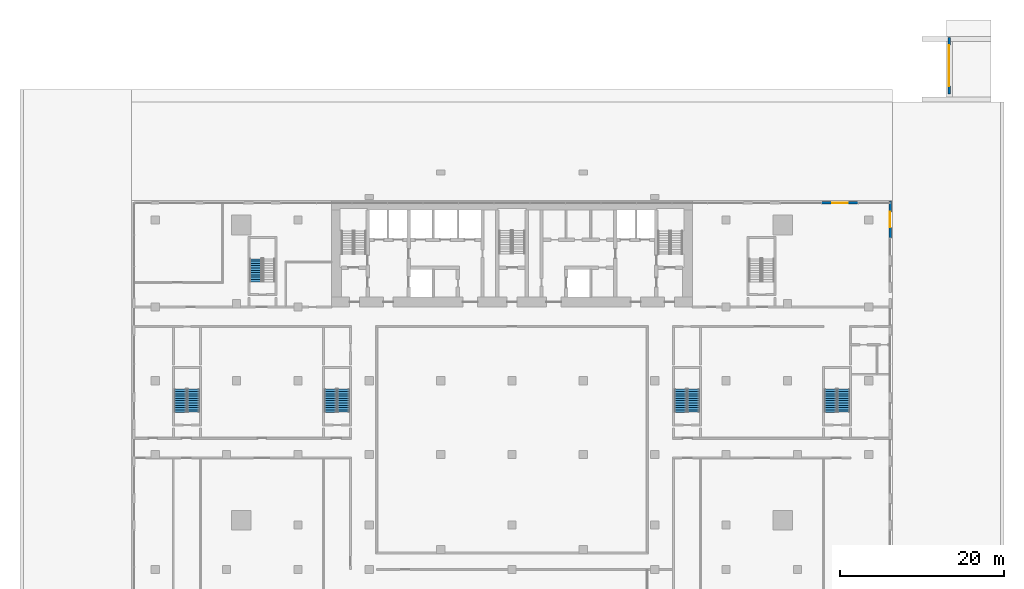
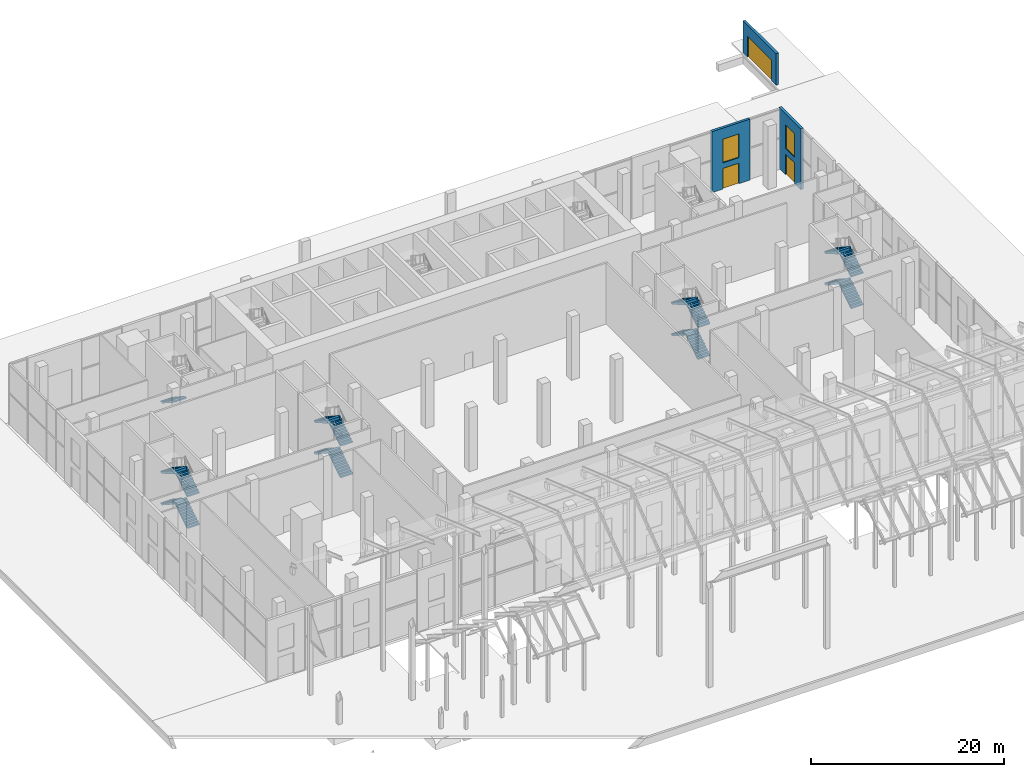
# One storey, part 27 of 31: 17 stair flights, 3 doors, 3 walls, 2 windows, 5 openings, 5 elements without a shape of their own.
"""IFC4 building model written with IfcOpenShell, lengths in metres."""

import ifcopenshell
import ifcopenshell.guid

model = None  # the IFC model being written
_history = None  # IfcOwnerHistory: only IFC2X3 demands one
_inside = {}  # id of a spatial element -> (the spatial element, [elements in it])
_under = {}  # id of a project, library or spatial element -> (it, [spatial elements below it])
_declared = {}  # id of a project -> (the project, [libraries it declares])
_typed = {}  # id of a type object -> (the type object, [elements of that type])
_made_of = {}  # id of a material, layer set ... -> (it, [elements and type objects made of it])


def new_model(schema):
    """Start an empty IFC model of exactly this schema.

    Asked for "IFC4X3", IfcOpenShell would pick the latest addendum, in which some entities
    have other attributes; the version numbers below select the first issue.
    IFC2X3 requires an IfcOwnerHistory on every rooted entity: one is made here for all.
    """
    global model, _history
    if schema == "IFC4X3":
        model = ifcopenshell.file(schema_version=(4, 3, 0, 0))
    else:
        model = ifcopenshell.file(schema=schema)
    _inside.clear()
    _under.clear()
    _declared.clear()
    _typed.clear()
    _made_of.clear()
    _history = None
    if model.schema == "IFC2X3":
        org = make("IfcOrganization", Name="unknown")
        user = make(
            "IfcPersonAndOrganization",
            ThePerson=make("IfcPerson", FamilyName="unknown"),
            TheOrganization=org,
        )
        app = make(
            "IfcApplication",
            ApplicationDeveloper=org,
            Version="unknown",
            ApplicationFullName="unknown",
            ApplicationIdentifier="unknown",
        )
        _history = make(
            "IfcOwnerHistory",
            OwningUser=user,
            OwningApplication=app,
            ChangeAction="ADDED",
            CreationDate=0,
        )
    return model


def make(cls, **values):
    """One entity of the class cls with the attributes given. An attribute that is None is left unset."""
    return model.create_entity(
        cls, **{name: value for name, value in values.items() if value is not None}
    )


def rooted(cls, **values):
    """An entity with a GlobalId (a new one), such as an element, a storey or a relation."""
    return make(cls, GlobalId=ifcopenshell.guid.new(), OwnerHistory=_history, **values)


def si_unit(unit_type, name, prefix=None):
    """IfcSIUnit, for example si_unit("LENGTHUNIT", "METRE", prefix="MILLI")."""
    return make("IfcSIUnit", UnitType=unit_type, Prefix=prefix, Name=name)


def assignment(units):
    """IfcUnitAssignment: the units of a project."""
    return None if units is None else make("IfcUnitAssignment", Units=units)


def point(xyz):
    """IfcCartesianPoint."""
    return None if xyz is None else make("IfcCartesianPoint", Coordinates=xyz)


def direction(xyz):
    """IfcDirection."""
    return None if xyz is None else make("IfcDirection", DirectionRatios=xyz)


def frame(location, z_axis=None, x_axis=None):
    """IfcAxis2Placement3D, a coordinate frame: its origin and axes. An axis left out is left unset."""
    return make(
        "IfcAxis2Placement3D",
        Location=point(location),
        Axis=direction(z_axis),
        RefDirection=direction(x_axis),
    )


def frame_2d(location, x_axis=None):
    """IfcAxis2Placement2D, a coordinate frame in the plane: its origin and x axis."""
    return make(
        "IfcAxis2Placement2D", Location=point(location), RefDirection=direction(x_axis)
    )


def origin():
    """The frame at (0, 0, 0) with its axes left unset."""
    return frame((0.0, 0.0, 0.0))


def place(relative_to, where):
    """IfcLocalPlacement: puts the frame where relative to a parent placement (None: the world)."""
    return make(
        "IfcLocalPlacement", PlacementRelTo=relative_to, RelativePlacement=where
    )


def context(
    kind, dimensions, precision=None, world=None, true_north=None, identifier=None
):
    """IfcGeometricRepresentationContext, for example the 3D "Model" context."""
    return make(
        "IfcGeometricRepresentationContext",
        ContextIdentifier=identifier,
        ContextType=kind,
        CoordinateSpaceDimension=dimensions,
        Precision=precision,
        WorldCoordinateSystem=world,
        TrueNorth=true_north,
    )


def subcontext(parent, identifier, kind, view, scale=None):
    """IfcGeometricRepresentationSubContext, for example "Body" below "Model"."""
    return make(
        "IfcGeometricRepresentationSubContext",
        ContextIdentifier=identifier,
        ContextType=kind,
        ParentContext=parent,
        TargetScale=scale,
        TargetView=view,
    )


def project(units=None, contexts=None):
    """IfcProject with its units and contexts."""
    return rooted(
        "IfcProject",
        Name="project",
        RepresentationContexts=contexts,
        UnitsInContext=assignment(units),
    )


def spatial(cls, under=None, at=None, **own):
    """A site, building, storey or space (cls), placed at a placement, below another one or the project."""
    s = rooted(cls, ObjectPlacement=at, **own)
    if under is not None:
        _under.setdefault(under.id(), (under, []))[1].append(s)
    return s


def polyline(points):
    """IfcPolyline through the points."""
    return make("IfcPolyline", Points=[point(p) for p in points])


def profile(cls, at=None, kind="AREA", **sizes):
    """A parametric profile (cls). Its sizes go by their IFC names, for example OverallWidth=200.0."""
    return make(cls, ProfileType=kind, Position=at, **sizes)


def rectangle(**sizes):
    """IfcRectangleProfileDef."""
    return profile("IfcRectangleProfileDef", **sizes)


def outline(outer, holes=None, kind="AREA"):
    """IfcArbitraryClosedProfileDef: a profile drawn as a closed curve; with holes, ...WithVoids."""
    if holes is None:
        return make("IfcArbitraryClosedProfileDef", ProfileType=kind, OuterCurve=outer)
    return make(
        "IfcArbitraryProfileDefWithVoids",
        ProfileType=kind,
        OuterCurve=outer,
        InnerCurves=holes,
    )


def extrude(swept, where, along, depth):
    """IfcExtrudedAreaSolid: the profile swept, set in the frame where, extruded along a direction by depth."""
    return make(
        "IfcExtrudedAreaSolid",
        SweptArea=swept,
        Position=where,
        ExtrudedDirection=direction(along),
        Depth=depth,
    )


def shape(context_of_items, identifier, shape_type, items):
    """IfcShapeRepresentation: the items that make up one representation, for example the "Body"."""
    return make(
        "IfcShapeRepresentation",
        ContextOfItems=context_of_items,
        RepresentationIdentifier=identifier,
        RepresentationType=shape_type,
        Items=items,
    )


def material(Name=None, Category=None):
    """IfcMaterial."""
    return make("IfcMaterial", Name=Name, Category=Category)


def layer(
    of_material, thickness, ventilated=None, Name=None, Category=None, Priority=None
):
    """IfcMaterialLayer: one layer of a wall or slab, of a material (None: an air gap)."""
    return make(
        "IfcMaterialLayer",
        Material=of_material,
        LayerThickness=thickness,
        IsVentilated=ventilated,
        Name=Name,
        Category=Category,
        Priority=Priority,
    )


def layer_set(layers, Name=None):
    """IfcMaterialLayerSet."""
    return make("IfcMaterialLayerSet", MaterialLayers=layers, LayerSetName=Name)


def layer_usage(for_layer_set, set_direction, sense, offset, extent=None):
    """IfcMaterialLayerSetUsage: how a layer set lies in its element."""
    return make(
        "IfcMaterialLayerSetUsage",
        ForLayerSet=for_layer_set,
        LayerSetDirection=set_direction,
        DirectionSense=sense,
        OffsetFromReferenceLine=offset,
        ReferenceExtent=extent,
    )


def made_of(thing, what):
    """Note that an element or type object is made of a material, layer set ...; save() writes the relation."""
    if what is not None:
        _made_of.setdefault(what.id(), (what, []))[1].append(thing)
    return thing


def type_object(cls, material=None, **own):
    """A type object (cls), such as IfcWallType, which elements share."""
    return made_of(rooted(cls, **own), material)


def element(
    cls,
    number,
    at=None,
    inside=None,
    cuts=None,
    type_object=None,
    material=None,
    context=None,
    identifier="Body",
    shape_type=None,
    held_by="IfcProductDefinitionShape",
    body=None,
    shapes=None,
    **own,
):
    """One element of the class cls, such as IfcWall. Its Tag is "e" and its number.

    at: its placement. inside: the storey or other place that contains it. cuts: it is an
    opening in that element (IfcRelVoidsElement). A single representation is given by context,
    identifier, shape_type and body (its items); several are given by shapes. held_by: the class
    of the entity that holds the representations. save() writes the other relations.
    """
    e = rooted(cls, Tag="e%d" % number, ObjectPlacement=at, **own)
    if body is not None:
        shapes = [shape(context, identifier, shape_type, body)]
    if shapes is not None:
        e.Representation = make(held_by, Representations=shapes)
    if inside is not None:
        _inside.setdefault(inside.id(), (inside, []))[1].append(e)
    if cuts is not None:
        rooted(
            "IfcRelVoidsElement", RelatingBuildingElement=cuts, RelatedOpeningElement=e
        )
    if type_object is not None:
        _typed.setdefault(type_object.id(), (type_object, []))[1].append(e)
    return made_of(e, material)


def fill(opening, filler):
    """IfcRelFillsElement: the door or window that sits in an opening."""
    return rooted(
        "IfcRelFillsElement",
        RelatingOpeningElement=opening,
        RelatedBuildingElement=filler,
    )


def aggregate(whole, parts):
    """IfcRelAggregates: a whole, such as a stair, and the parts it consists of."""
    return rooted("IfcRelAggregates", RelatingObject=whole, RelatedObjects=parts)


def save(model, path):
    """Write the relations noted so far, then the file.

    IfcRelAggregates (storeys below a building ...), IfcRelContainedInSpatialStructure (elements
    in a storey), IfcRelDefinesByType, IfcRelAssociatesMaterial and IfcRelDeclares: one each for
    every whole, place, type object, material and project.
    """
    for whole, parts in _under.values():
        aggregate(whole, parts)
    for where, things in _inside.values():
        rooted(
            "IfcRelContainedInSpatialStructure",
            RelatedElements=things,
            RelatingStructure=where,
        )
    for kind, things in _typed.values():
        rooted("IfcRelDefinesByType", RelatedObjects=things, RelatingType=kind)
    for what, things in _made_of.values():
        rooted("IfcRelAssociatesMaterial", RelatedObjects=things, RelatingMaterial=what)
    for by, libraries in _declared.values():
        rooted("IfcRelDeclares", RelatingContext=by, RelatedDefinitions=libraries)
    model.write(path)


model = new_model("IFC4")

# Units and contexts
model_context = context("Model", 3, precision=1e-05, world=origin(), true_north=direction((0.0, 1.0)))
body_context = subcontext(model_context, "Body", "Model", "MODEL_VIEW")
ifc_project = project(units=[si_unit("LENGTHUNIT", "METRE"), si_unit("AREAUNIT", "SQUARE_METRE"), si_unit("VOLUMEUNIT", "CUBIC_METRE"), si_unit("PLANEANGLEUNIT", "RADIAN"), si_unit("MASSUNIT", "GRAM", prefix="KILO")], contexts=[model_context])

# Site, building, storey
site_placement = place(None, origin())
site = spatial("IfcSite", under=ifc_project, at=site_placement, CompositionType="ELEMENT")
building_placement = place(site_placement, origin())
building = spatial("IfcBuilding", under=site, at=building_placement, Name="Bicima Exchange Tower", CompositionType="ELEMENT")
storey_placement = place(building_placement, origin())
storey = spatial("IfcBuildingStorey", under=building, at=storey_placement, Name="L00", CompositionType="ELEMENT", Elevation=0.0)

# Wall, openings, window, door
ifc_material_1 = material(Name="Concrete C40/50", Category="concrete")
ifc_layer_1 = layer(ifc_material_1, 0.3)
ifc_layer_set_1 = layer_set([ifc_layer_1], Name="Concrete C40/50")
ifc_layer_usage = layer_usage(ifc_layer_set_1, "AXIS2", "POSITIVE", -0.15)
wall_type_1 = type_object("IfcWallType", Name="Entrance frame wall 300", PredefinedType="STANDARD", material=ifc_layer_set_1)
wall_1_placement = place(storey_placement, frame((46.10009765625, -0.10009765625, 0.0), z_axis=(0.0, 0.0, 1.0), x_axis=(0.0, -1.0, 0.0)))
wall_1 = element("IfcWall", 1, at=wall_1_placement, inside=storey, type_object=wall_type_1, material=ifc_layer_usage, Name="Entrance frame wall L00 east 10", PredefinedType="STANDARD", context=body_context, shape_type="SweptSolid", body=[
    extrude(rectangle(XDim=4.5, YDim=0.300048828125, at=frame_2d((2.25, 0.0))), origin(), (0.0, 0.0, 1.0), 7.699951171875),
])
opening_1_placement = place(wall_1_placement, frame((1.300048828125, 0.0, 0.0)))
opening_1 = element("IfcOpeningElement", 2, at=opening_1_placement, cuts=wall_1, Name="Opening DX2", PredefinedType="OPENING", context=body_context, shape_type="SweptSolid", body=[
    extrude(rectangle(XDim=1.89990234375, YDim=2.60009765625, at=frame_2d((0.949951171875, 1.300048828125))), frame((0.0, 0.162109375, 0.0), z_axis=(0.0, -1.0, 0.0), x_axis=(1.0, 0.0, 0.0)), (0.0, 0.0, 1.0), 0.323974609375),
])
opening_2_placement = place(wall_1_placement, frame((1.300048828125, 0.0, 3.300048828125)))
opening_2 = element("IfcOpeningElement", 3, at=opening_2_placement, cuts=wall_1, Name="Opening WX1", PredefinedType="OPENING", context=body_context, shape_type="SweptSolid", body=[
    extrude(rectangle(XDim=1.89990234375, YDim=3.0, at=frame_2d((0.949951171875, 1.5))), frame((0.0, 0.162109375, 0.0), z_axis=(0.0, -1.0, 0.0), x_axis=(1.0, 0.0, 0.0)), (0.0, 0.0, 1.0), 0.323974609375),
])
ifc_material_2 = material(Name="Clear low-iron glass", Category="glass")
window_type = type_object("IfcWindowType", Name="Entrance transom light 1900 x 3000", PartitioningType="SINGLE_PANEL", PredefinedType="WINDOW", material=ifc_material_2)
window_1_placement = place(opening_2_placement, origin())
window_1 = element("IfcWindow", 4, at=window_1_placement, inside=storey, type_object=window_type, Name="Entrance transom light L00 east 10", OverallHeight=3.0, OverallWidth=1.89990234375, PartitioningType="SINGLE_PANEL", PredefinedType="WINDOW", context=body_context, shape_type="SweptSolid", body=[
    extrude(rectangle(XDim=1.89990234375, YDim=3.0, at=frame_2d((0.949951171875, 1.5))), frame((0.0, 0.030029296875, 0.0), z_axis=(0.0, -1.0, 0.0), x_axis=(1.0, 0.0, 0.0)), (0.0, 0.0, 1.0), 0.06005859375),
])
fill(opening_2, window_1)
ifc_material_3 = material(Name="Anodised bronze aluminium and bonded safety glass", Category="aluminium")
door_type_1 = type_object("IfcDoorType", Name="Exit door, double leaf 1900 x 2600", OperationType="DOUBLE_DOOR_DOUBLE_SWING", PredefinedType="DOOR", material=ifc_material_3)
door_1_placement = place(opening_1_placement, origin())
door_1 = element("IfcDoor", 5, at=door_1_placement, inside=storey, type_object=door_type_1, Name="Exit door L00 east 10", OperationType="SINGLE_SWING_LEFT", OverallHeight=2.60009765625, OverallWidth=1.89990234375, PredefinedType="DOOR", context=body_context, shape_type="SweptSolid", body=[
    extrude(rectangle(XDim=1.89990234375, YDim=2.60009765625, at=frame_2d((0.949951171875, 1.300048828125))), frame((0.0, 0.02490234375, 0.0), z_axis=(0.0, -1.0, 0.0), x_axis=(1.0, 0.0, 0.0)), (0.0, 0.0, 1.0), 0.050048828125),
])
fill(opening_1, door_1)

wall_2_placement = place(storey_placement, frame((37.75, -0.300048828125, 0.0), z_axis=(0.0, 0.0, 1.0), x_axis=(1.0, 0.0, 0.0)))
wall_2 = element("IfcWall", 6, at=wall_2_placement, inside=storey, type_object=wall_type_1, material=ifc_layer_usage, Name="Entrance frame wall L00 north 2", PredefinedType="STANDARD", context=body_context, shape_type="SweptSolid", body=[
    extrude(rectangle(XDim=4.5, YDim=0.300048828125, at=frame_2d((2.25, 0.0))), origin(), (0.0, 0.0, 1.0), 7.699951171875),
])
opening_3_placement = place(wall_2_placement, frame((1.300048828125, 0.0, 0.0)))
opening_3 = element("IfcOpeningElement", 7, at=opening_3_placement, cuts=wall_2, Name="Opening DX2", PredefinedType="OPENING", context=body_context, shape_type="SweptSolid", body=[
    extrude(rectangle(XDim=1.89990234375, YDim=2.60009765625, at=frame_2d((0.949951171875, 1.300048828125))), frame((0.0, 0.162109375, 0.0), z_axis=(0.0, -1.0, 0.0), x_axis=(1.0, 0.0, 0.0)), (0.0, 0.0, 1.0), 0.323974609375),
])
opening_4_placement = place(wall_2_placement, frame((1.300048828125, 0.0, 3.300048828125)))
opening_4 = element("IfcOpeningElement", 8, at=opening_4_placement, cuts=wall_2, Name="Opening WX1", PredefinedType="OPENING", context=body_context, shape_type="SweptSolid", body=[
    extrude(rectangle(XDim=1.89990234375, YDim=3.0, at=frame_2d((0.949951171875, 1.5))), frame((0.0, 0.162109375, 0.0), z_axis=(0.0, -1.0, 0.0), x_axis=(1.0, 0.0, 0.0)), (0.0, 0.0, 1.0), 0.323974609375),
])
window_2_placement = place(opening_4_placement, origin())
window_2 = element("IfcWindow", 9, at=window_2_placement, inside=storey, type_object=window_type, Name="Entrance transom light L00 north 2", OverallHeight=3.0, OverallWidth=1.89990234375, PartitioningType="SINGLE_PANEL", PredefinedType="WINDOW", context=body_context, shape_type="SweptSolid", body=[
    extrude(rectangle(XDim=1.89990234375, YDim=3.0, at=frame_2d((0.949951171875, 1.5))), frame((0.0, 0.030029296875, 0.0), z_axis=(0.0, -1.0, 0.0), x_axis=(1.0, 0.0, 0.0)), (0.0, 0.0, 1.0), 0.06005859375),
])
fill(opening_4, window_2)
door_2_placement = place(opening_3_placement, origin())
door_2 = element("IfcDoor", 10, at=door_2_placement, inside=storey, type_object=door_type_1, Name="Exit door L00 north 2", OperationType="SINGLE_SWING_LEFT", OverallHeight=2.60009765625, OverallWidth=1.89990234375, PredefinedType="DOOR", context=body_context, shape_type="SweptSolid", body=[
    extrude(rectangle(XDim=1.89990234375, YDim=2.60009765625, at=frame_2d((0.949951171875, 1.300048828125))), frame((0.0, 0.02490234375, 0.0), z_axis=(0.0, -1.0, 0.0), x_axis=(1.0, 0.0, 0.0)), (0.0, 0.0, 1.0), 0.050048828125),
])
fill(opening_3, door_2)

# Wall, opening, door
ifc_layer_2 = layer(ifc_material_1, 0.300048828125)
ifc_layer_set_2 = layer_set([ifc_layer_2], Name="Concrete C40/50")
wall_type_2 = type_object("IfcWallType", Name="Vehicle gate wall 300", PredefinedType="STANDARD", material=ifc_layer_set_2)
wall_3_placement = place(storey_placement, frame((53.300048828125, 13.0, 0.0), z_axis=(0.0, 0.0, 1.0), x_axis=(0.0, 1.0, 0.0)))
wall_3 = element("IfcWall", 11, at=wall_3_placement, inside=storey, type_object=wall_type_2, Name="Gate wall", PredefinedType="STANDARD", context=body_context, shape_type="SweptSolid", body=[
    extrude(rectangle(XDim=6.85009765625, YDim=0.300048828125, at=frame_2d((3.425048828125, 0.0))), origin(), (0.0, 0.0, 1.0), 4.0),
])
opening_5_placement = place(wall_3_placement, frame((0.925048828125, 0.0, 0.0)))
opening_5 = element("IfcOpeningElement", 12, at=opening_5_placement, cuts=wall_3, Name="Opening VG-01", PredefinedType="OPENING", context=body_context, shape_type="SweptSolid", body=[
    extrude(rectangle(XDim=5.0, YDim=2.60009765625, at=frame_2d((2.5, 1.300048828125))), frame((0.0, 0.162109375, 0.0), z_axis=(0.0, -1.0, 0.0), x_axis=(1.0, 0.0, 0.0)), (0.0, 0.0, 1.0), 0.323974609375),
])
ifc_material_4 = material(Name="Steel roller shutter", Category="steel")
door_type_2 = type_object("IfcDoorType", Name="Vehicle gate 5000 roller shutter", OperationType="ROLLINGUP", PredefinedType="GATE", material=ifc_material_4)
door_3_placement = place(opening_5_placement, origin())
door_3 = element("IfcDoor", 13, at=door_3_placement, inside=storey, type_object=door_type_2, Name="Vehicle gate", OperationType="ROLLINGUP", OverallHeight=2.60009765625, OverallWidth=5.0, PredefinedType="GATE", context=body_context, shape_type="SweptSolid", body=[
    extrude(rectangle(XDim=5.0, YDim=2.60009765625, at=frame_2d((2.5, 1.300048828125))), frame((0.0, 0.02490234375, 0.0), z_axis=(0.0, -1.0, 0.0), x_axis=(1.0, 0.0, 0.0)), (0.0, 0.0, 1.0), 0.050048828125),
])
fill(opening_5, door_3)

# Stair, stair flight
ifc_material_5 = material(Name="Concrete C50/60", Category="concrete")
stair_type = type_object("IfcStairType", Name="Exit stair", PredefinedType="HALF_TURN_STAIR", material=ifc_material_5)
stair_1_placement = place(storey_placement, origin())
stair_1 = element("IfcStair", 14, at=stair_1_placement, inside=storey, type_object=stair_type, Name="L00 West end exit stair", PredefinedType="HALF_TURN_STAIR")
stair_flight_type = type_object("IfcStairFlightType", Name="Stair flight RC", PredefinedType="STRAIGHT", material=ifc_material_5)
stair_flight_1_placement = place(storey_placement, frame((-31.25, -7.125, 2.0), z_axis=(0.0, 0.0, 1.0), x_axis=(0.0, -1.0, 0.0)))
stair_flight_1 = element("IfcStairFlight", 15, at=stair_flight_1_placement, type_object=stair_flight_type, Name="ST-WW flight 2", NumberOfRisers=11, NumberOfTreads=10, PredefinedType="STRAIGHT", RiserHeight=0.181818182, TreadLength=0.28, context=body_context, shape_type="SweptSolid", body=[
    extrude(outline(polyline([(0.0, 0.0), (0.0, 0.181884765625), (0.280029296875, 0.181884765625), (0.280029296875, 0.363525390625), (0.56005859375, 0.363525390625), (0.56005859375, 0.54541015625), (0.840087890625, 0.54541015625), (0.840087890625, 0.727294921875), (1.1201171875, 0.727294921875), (1.1201171875, 0.9091796875), (1.39990234375, 0.9091796875), (1.39990234375, 1.0908203125), (1.679931640625, 1.0908203125), (1.679931640625, 1.272705078125), (1.9599609375, 1.272705078125), (1.9599609375, 1.45458984375), (2.239990234375, 1.45458984375), (2.239990234375, 1.636474609375), (2.52001953125, 1.636474609375), (2.52001953125, 1.818115234375), (2.800048828125, 1.818115234375), (2.800048828125, 2.0), (2.800048828125, 1.639404296875), (0.275146484375, 0.0), (0.0, 0.0)])), frame((0.0, 0.72509765625, 0.0), z_axis=(0.0, -1.0, 0.0), x_axis=(1.0, 0.0, 0.0)), (0.0, 0.0, 1.0), 1.449951171875),
])
aggregate(stair_1, [stair_flight_1])

# Stair, stair flights
stair_2_placement = place(storey_placement, origin())
stair_2 = element("IfcStair", 16, at=stair_2_placement, inside=storey, type_object=stair_type, Name="L00 Podium west stair", PredefinedType="HALF_TURN_STAIR")
stair_flight_2_placement = place(storey_placement, frame((-38.85009765625, -25.824951171875, 0.0), z_axis=(0.0, 0.0, 1.0), x_axis=(0.0, 1.0, 0.0)))
stair_flight_2 = element("IfcStairFlight", 17, at=stair_flight_2_placement, type_object=stair_flight_type, Name="PS-W flight 1", NumberOfRisers=11, NumberOfTreads=10, PredefinedType="STRAIGHT", RiserHeight=0.181818182, TreadLength=0.28, context=body_context, shape_type="SweptSolid", body=[
    extrude(outline(polyline([(0.0, 0.0), (0.0, 0.181884765625), (0.280029296875, 0.181884765625), (0.280029296875, 0.363525390625), (0.56005859375, 0.363525390625), (0.56005859375, 0.54541015625), (0.840087890625, 0.54541015625), (0.840087890625, 0.727294921875), (1.1201171875, 0.727294921875), (1.1201171875, 0.9091796875), (1.39990234375, 0.9091796875), (1.39990234375, 1.0908203125), (1.679931640625, 1.0908203125), (1.679931640625, 1.272705078125), (1.9599609375, 1.272705078125), (1.9599609375, 1.45458984375), (2.239990234375, 1.45458984375), (2.239990234375, 1.636474609375), (2.52001953125, 1.636474609375), (2.52001953125, 1.818115234375), (2.800048828125, 1.818115234375), (2.800048828125, 2.0), (2.800048828125, 1.639404296875), (0.275146484375, 0.0), (0.0, 0.0)])), frame((0.0, 0.72509765625, 0.0), z_axis=(0.0, -1.0, 0.0), x_axis=(1.0, 0.0, 0.0)), (0.0, 0.0, 1.0), 1.449951171875),
])
stair_flight_3_placement = place(storey_placement, frame((-40.449951171875, -23.02490234375, 2.0), z_axis=(0.0, 0.0, 1.0), x_axis=(0.0, -1.0, 0.0)))
stair_flight_3 = element("IfcStairFlight", 18, at=stair_flight_3_placement, type_object=stair_flight_type, Name="PS-W flight 2", NumberOfRisers=11, NumberOfTreads=10, PredefinedType="STRAIGHT", RiserHeight=0.181818182, TreadLength=0.28, context=body_context, shape_type="SweptSolid", body=[
    extrude(outline(polyline([(0.0, 0.0), (0.0, 0.181884765625), (0.280029296875, 0.181884765625), (0.280029296875, 0.363525390625), (0.56005859375, 0.363525390625), (0.56005859375, 0.54541015625), (0.840087890625, 0.54541015625), (0.840087890625, 0.727294921875), (1.1201171875, 0.727294921875), (1.1201171875, 0.9091796875), (1.39990234375, 0.9091796875), (1.39990234375, 1.0908203125), (1.679931640625, 1.0908203125), (1.679931640625, 1.272705078125), (1.9599609375, 1.272705078125), (1.9599609375, 1.45458984375), (2.239990234375, 1.45458984375), (2.239990234375, 1.636474609375), (2.52001953125, 1.636474609375), (2.52001953125, 1.818115234375), (2.800048828125, 1.818115234375), (2.800048828125, 2.0), (2.800048828125, 1.639404296875), (0.275146484375, 0.0), (0.0, 0.0)])), frame((0.0, 0.72509765625, 0.0), z_axis=(0.0, -1.0, 0.0), x_axis=(1.0, 0.0, 0.0)), (0.0, 0.0, 1.0), 1.449951171875),
])
stair_flight_4_placement = place(storey_placement, frame((-38.85009765625, -25.824951171875, 4.0), z_axis=(0.0, 0.0, 1.0), x_axis=(0.0, 1.0, 0.0)))
stair_flight_4 = element("IfcStairFlight", 19, at=stair_flight_4_placement, type_object=stair_flight_type, Name="PS-W flight 3", NumberOfRisers=11, NumberOfTreads=10, PredefinedType="STRAIGHT", RiserHeight=0.181818182, TreadLength=0.28, context=body_context, shape_type="SweptSolid", body=[
    extrude(outline(polyline([(0.0, 0.0), (0.0, 0.181884765625), (0.280029296875, 0.181884765625), (0.280029296875, 0.363525390625), (0.56005859375, 0.363525390625), (0.56005859375, 0.54541015625), (0.840087890625, 0.54541015625), (0.840087890625, 0.727294921875), (1.1201171875, 0.727294921875), (1.1201171875, 0.9091796875), (1.39990234375, 0.9091796875), (1.39990234375, 1.0908203125), (1.679931640625, 1.0908203125), (1.679931640625, 1.272705078125), (1.9599609375, 1.272705078125), (1.9599609375, 1.45458984375), (2.239990234375, 1.45458984375), (2.239990234375, 1.636474609375), (2.52001953125, 1.636474609375), (2.52001953125, 1.818115234375), (2.800048828125, 1.818115234375), (2.800048828125, 2.0), (2.800048828125, 1.639404296875), (0.275146484375, 0.0), (0.0, 0.0)])), frame((0.0, 0.72509765625, 0.0), z_axis=(0.0, -1.0, 0.0), x_axis=(1.0, 0.0, 0.0)), (0.0, 0.0, 1.0), 1.449951171875),
])
stair_flight_5_placement = place(storey_placement, frame((-40.449951171875, -23.02490234375, 6.0), z_axis=(0.0, 0.0, 1.0), x_axis=(0.0, -1.0, 0.0)))
stair_flight_5 = element("IfcStairFlight", 20, at=stair_flight_5_placement, type_object=stair_flight_type, Name="PS-W flight 4", NumberOfRisers=11, NumberOfTreads=10, PredefinedType="STRAIGHT", RiserHeight=0.181818182, TreadLength=0.28, context=body_context, shape_type="SweptSolid", body=[
    extrude(outline(polyline([(0.0, 0.0), (0.0, 0.181884765625), (0.280029296875, 0.181884765625), (0.280029296875, 0.363525390625), (0.56005859375, 0.363525390625), (0.56005859375, 0.54541015625), (0.840087890625, 0.54541015625), (0.840087890625, 0.727294921875), (1.1201171875, 0.727294921875), (1.1201171875, 0.9091796875), (1.39990234375, 0.9091796875), (1.39990234375, 1.0908203125), (1.679931640625, 1.0908203125), (1.679931640625, 1.272705078125), (1.9599609375, 1.272705078125), (1.9599609375, 1.45458984375), (2.239990234375, 1.45458984375), (2.239990234375, 1.636474609375), (2.52001953125, 1.636474609375), (2.52001953125, 1.818115234375), (2.800048828125, 1.818115234375), (2.81494140625, 1.818115234375), (2.81494140625, 1.46728515625), (0.275146484375, 0.0), (0.0, 0.0)])), frame((0.0, 0.72509765625, 0.0), z_axis=(0.0, -1.0, 0.0), x_axis=(1.0, 0.0, 0.0)), (0.0, 0.0, 1.0), 1.449951171875),
])
aggregate(stair_2, [stair_flight_2, stair_flight_3, stair_flight_4, stair_flight_5])

stair_3_placement = place(storey_placement, origin())
stair_3 = element("IfcStair", 21, at=stair_3_placement, inside=storey, type_object=stair_type, Name="L00 Podium inner west stair", PredefinedType="HALF_TURN_STAIR")
stair_flight_6_placement = place(storey_placement, frame((-20.550048828125, -25.824951171875, 0.0), z_axis=(0.0, 0.0, 1.0), x_axis=(0.0, 1.0, 0.0)))
stair_flight_6 = element("IfcStairFlight", 22, at=stair_flight_6_placement, type_object=stair_flight_type, Name="PS-WI flight 1", NumberOfRisers=11, NumberOfTreads=10, PredefinedType="STRAIGHT", RiserHeight=0.181818182, TreadLength=0.28, context=body_context, shape_type="SweptSolid", body=[
    extrude(outline(polyline([(0.0, 0.0), (0.0, 0.181884765625), (0.280029296875, 0.181884765625), (0.280029296875, 0.363525390625), (0.56005859375, 0.363525390625), (0.56005859375, 0.54541015625), (0.840087890625, 0.54541015625), (0.840087890625, 0.727294921875), (1.1201171875, 0.727294921875), (1.1201171875, 0.9091796875), (1.39990234375, 0.9091796875), (1.39990234375, 1.0908203125), (1.679931640625, 1.0908203125), (1.679931640625, 1.272705078125), (1.9599609375, 1.272705078125), (1.9599609375, 1.45458984375), (2.239990234375, 1.45458984375), (2.239990234375, 1.636474609375), (2.52001953125, 1.636474609375), (2.52001953125, 1.818115234375), (2.800048828125, 1.818115234375), (2.800048828125, 2.0), (2.800048828125, 1.639404296875), (0.275146484375, 0.0), (0.0, 0.0)])), frame((0.0, 0.72509765625, 0.0), z_axis=(0.0, -1.0, 0.0), x_axis=(1.0, 0.0, 0.0)), (0.0, 0.0, 1.0), 1.449951171875),
])
stair_flight_7_placement = place(storey_placement, frame((-22.14990234375, -23.02490234375, 2.0), z_axis=(0.0, 0.0, 1.0), x_axis=(0.0, -1.0, 0.0)))
stair_flight_7 = element("IfcStairFlight", 23, at=stair_flight_7_placement, type_object=stair_flight_type, Name="PS-WI flight 2", NumberOfRisers=11, NumberOfTreads=10, PredefinedType="STRAIGHT", RiserHeight=0.181818182, TreadLength=0.28, context=body_context, shape_type="SweptSolid", body=[
    extrude(outline(polyline([(0.0, 0.0), (0.0, 0.181884765625), (0.280029296875, 0.181884765625), (0.280029296875, 0.363525390625), (0.56005859375, 0.363525390625), (0.56005859375, 0.54541015625), (0.840087890625, 0.54541015625), (0.840087890625, 0.727294921875), (1.1201171875, 0.727294921875), (1.1201171875, 0.9091796875), (1.39990234375, 0.9091796875), (1.39990234375, 1.0908203125), (1.679931640625, 1.0908203125), (1.679931640625, 1.272705078125), (1.9599609375, 1.272705078125), (1.9599609375, 1.45458984375), (2.239990234375, 1.45458984375), (2.239990234375, 1.636474609375), (2.52001953125, 1.636474609375), (2.52001953125, 1.818115234375), (2.800048828125, 1.818115234375), (2.800048828125, 2.0), (2.800048828125, 1.639404296875), (0.275146484375, 0.0), (0.0, 0.0)])), frame((0.0, 0.72509765625, 0.0), z_axis=(0.0, -1.0, 0.0), x_axis=(1.0, 0.0, 0.0)), (0.0, 0.0, 1.0), 1.449951171875),
])
stair_flight_8_placement = place(storey_placement, frame((-20.550048828125, -25.824951171875, 4.0), z_axis=(0.0, 0.0, 1.0), x_axis=(0.0, 1.0, 0.0)))
stair_flight_8 = element("IfcStairFlight", 24, at=stair_flight_8_placement, type_object=stair_flight_type, Name="PS-WI flight 3", NumberOfRisers=11, NumberOfTreads=10, PredefinedType="STRAIGHT", RiserHeight=0.181818182, TreadLength=0.28, context=body_context, shape_type="SweptSolid", body=[
    extrude(outline(polyline([(0.0, 0.0), (0.0, 0.181884765625), (0.280029296875, 0.181884765625), (0.280029296875, 0.363525390625), (0.56005859375, 0.363525390625), (0.56005859375, 0.54541015625), (0.840087890625, 0.54541015625), (0.840087890625, 0.727294921875), (1.1201171875, 0.727294921875), (1.1201171875, 0.9091796875), (1.39990234375, 0.9091796875), (1.39990234375, 1.0908203125), (1.679931640625, 1.0908203125), (1.679931640625, 1.272705078125), (1.9599609375, 1.272705078125), (1.9599609375, 1.45458984375), (2.239990234375, 1.45458984375), (2.239990234375, 1.636474609375), (2.52001953125, 1.636474609375), (2.52001953125, 1.818115234375), (2.800048828125, 1.818115234375), (2.800048828125, 2.0), (2.800048828125, 1.639404296875), (0.275146484375, 0.0), (0.0, 0.0)])), frame((0.0, 0.72509765625, 0.0), z_axis=(0.0, -1.0, 0.0), x_axis=(1.0, 0.0, 0.0)), (0.0, 0.0, 1.0), 1.449951171875),
])
stair_flight_9_placement = place(storey_placement, frame((-22.14990234375, -23.02490234375, 6.0), z_axis=(0.0, 0.0, 1.0), x_axis=(0.0, -1.0, 0.0)))
stair_flight_9 = element("IfcStairFlight", 25, at=stair_flight_9_placement, type_object=stair_flight_type, Name="PS-WI flight 4", NumberOfRisers=11, NumberOfTreads=10, PredefinedType="STRAIGHT", RiserHeight=0.181818182, TreadLength=0.28, context=body_context, shape_type="SweptSolid", body=[
    extrude(outline(polyline([(0.0, 0.0), (0.0, 0.181884765625), (0.280029296875, 0.181884765625), (0.280029296875, 0.363525390625), (0.56005859375, 0.363525390625), (0.56005859375, 0.54541015625), (0.840087890625, 0.54541015625), (0.840087890625, 0.727294921875), (1.1201171875, 0.727294921875), (1.1201171875, 0.9091796875), (1.39990234375, 0.9091796875), (1.39990234375, 1.0908203125), (1.679931640625, 1.0908203125), (1.679931640625, 1.272705078125), (1.9599609375, 1.272705078125), (1.9599609375, 1.45458984375), (2.239990234375, 1.45458984375), (2.239990234375, 1.636474609375), (2.52001953125, 1.636474609375), (2.52001953125, 1.818115234375), (2.800048828125, 1.818115234375), (2.81494140625, 1.818115234375), (2.81494140625, 1.46728515625), (0.275146484375, 0.0), (0.0, 0.0)])), frame((0.0, 0.72509765625, 0.0), z_axis=(0.0, -1.0, 0.0), x_axis=(1.0, 0.0, 0.0)), (0.0, 0.0, 1.0), 1.449951171875),
])
aggregate(stair_3, [stair_flight_6, stair_flight_7, stair_flight_8, stair_flight_9])

stair_4_placement = place(storey_placement, origin())
stair_4 = element("IfcStair", 26, at=stair_4_placement, inside=storey, type_object=stair_type, Name="L00 Podium inner east stair", PredefinedType="HALF_TURN_STAIR")
stair_flight_10_placement = place(storey_placement, frame((22.14990234375, -25.824951171875, 0.0), z_axis=(0.0, 0.0, 1.0), x_axis=(0.0, 1.0, 0.0)))
stair_flight_10 = element("IfcStairFlight", 27, at=stair_flight_10_placement, type_object=stair_flight_type, Name="PS-EI flight 1", NumberOfRisers=11, NumberOfTreads=10, PredefinedType="STRAIGHT", RiserHeight=0.181818182, TreadLength=0.28, context=body_context, shape_type="SweptSolid", body=[
    extrude(outline(polyline([(0.0, 0.0), (0.0, 0.181884765625), (0.280029296875, 0.181884765625), (0.280029296875, 0.363525390625), (0.56005859375, 0.363525390625), (0.56005859375, 0.54541015625), (0.840087890625, 0.54541015625), (0.840087890625, 0.727294921875), (1.1201171875, 0.727294921875), (1.1201171875, 0.9091796875), (1.39990234375, 0.9091796875), (1.39990234375, 1.0908203125), (1.679931640625, 1.0908203125), (1.679931640625, 1.272705078125), (1.9599609375, 1.272705078125), (1.9599609375, 1.45458984375), (2.239990234375, 1.45458984375), (2.239990234375, 1.636474609375), (2.52001953125, 1.636474609375), (2.52001953125, 1.818115234375), (2.800048828125, 1.818115234375), (2.800048828125, 2.0), (2.800048828125, 1.639404296875), (0.275146484375, 0.0), (0.0, 0.0)])), frame((0.0, 0.72509765625, 0.0), z_axis=(0.0, -1.0, 0.0), x_axis=(1.0, 0.0, 0.0)), (0.0, 0.0, 1.0), 1.449951171875),
])
stair_flight_11_placement = place(storey_placement, frame((20.550048828125, -23.02490234375, 2.0), z_axis=(0.0, 0.0, 1.0), x_axis=(0.0, -1.0, 0.0)))
stair_flight_11 = element("IfcStairFlight", 28, at=stair_flight_11_placement, type_object=stair_flight_type, Name="PS-EI flight 2", NumberOfRisers=11, NumberOfTreads=10, PredefinedType="STRAIGHT", RiserHeight=0.181818182, TreadLength=0.28, context=body_context, shape_type="SweptSolid", body=[
    extrude(outline(polyline([(0.0, 0.0), (0.0, 0.181884765625), (0.280029296875, 0.181884765625), (0.280029296875, 0.363525390625), (0.56005859375, 0.363525390625), (0.56005859375, 0.54541015625), (0.840087890625, 0.54541015625), (0.840087890625, 0.727294921875), (1.1201171875, 0.727294921875), (1.1201171875, 0.9091796875), (1.39990234375, 0.9091796875), (1.39990234375, 1.0908203125), (1.679931640625, 1.0908203125), (1.679931640625, 1.272705078125), (1.9599609375, 1.272705078125), (1.9599609375, 1.45458984375), (2.239990234375, 1.45458984375), (2.239990234375, 1.636474609375), (2.52001953125, 1.636474609375), (2.52001953125, 1.818115234375), (2.800048828125, 1.818115234375), (2.800048828125, 2.0), (2.800048828125, 1.639404296875), (0.275146484375, 0.0), (0.0, 0.0)])), frame((0.0, 0.72509765625, 0.0), z_axis=(0.0, -1.0, 0.0), x_axis=(1.0, 0.0, 0.0)), (0.0, 0.0, 1.0), 1.449951171875),
])
stair_flight_12_placement = place(storey_placement, frame((22.14990234375, -25.824951171875, 4.0), z_axis=(0.0, 0.0, 1.0), x_axis=(0.0, 1.0, 0.0)))
stair_flight_12 = element("IfcStairFlight", 29, at=stair_flight_12_placement, type_object=stair_flight_type, Name="PS-EI flight 3", NumberOfRisers=11, NumberOfTreads=10, PredefinedType="STRAIGHT", RiserHeight=0.181818182, TreadLength=0.28, context=body_context, shape_type="SweptSolid", body=[
    extrude(outline(polyline([(0.0, 0.0), (0.0, 0.181884765625), (0.280029296875, 0.181884765625), (0.280029296875, 0.363525390625), (0.56005859375, 0.363525390625), (0.56005859375, 0.54541015625), (0.840087890625, 0.54541015625), (0.840087890625, 0.727294921875), (1.1201171875, 0.727294921875), (1.1201171875, 0.9091796875), (1.39990234375, 0.9091796875), (1.39990234375, 1.0908203125), (1.679931640625, 1.0908203125), (1.679931640625, 1.272705078125), (1.9599609375, 1.272705078125), (1.9599609375, 1.45458984375), (2.239990234375, 1.45458984375), (2.239990234375, 1.636474609375), (2.52001953125, 1.636474609375), (2.52001953125, 1.818115234375), (2.800048828125, 1.818115234375), (2.800048828125, 2.0), (2.800048828125, 1.639404296875), (0.275146484375, 0.0), (0.0, 0.0)])), frame((0.0, 0.72509765625, 0.0), z_axis=(0.0, -1.0, 0.0), x_axis=(1.0, 0.0, 0.0)), (0.0, 0.0, 1.0), 1.449951171875),
])
stair_flight_13_placement = place(storey_placement, frame((20.550048828125, -23.02490234375, 6.0), z_axis=(0.0, 0.0, 1.0), x_axis=(0.0, -1.0, 0.0)))
stair_flight_13 = element("IfcStairFlight", 30, at=stair_flight_13_placement, type_object=stair_flight_type, Name="PS-EI flight 4", NumberOfRisers=11, NumberOfTreads=10, PredefinedType="STRAIGHT", RiserHeight=0.181818182, TreadLength=0.28, context=body_context, shape_type="SweptSolid", body=[
    extrude(outline(polyline([(0.0, 0.0), (0.0, 0.181884765625), (0.280029296875, 0.181884765625), (0.280029296875, 0.363525390625), (0.56005859375, 0.363525390625), (0.56005859375, 0.54541015625), (0.840087890625, 0.54541015625), (0.840087890625, 0.727294921875), (1.1201171875, 0.727294921875), (1.1201171875, 0.9091796875), (1.39990234375, 0.9091796875), (1.39990234375, 1.0908203125), (1.679931640625, 1.0908203125), (1.679931640625, 1.272705078125), (1.9599609375, 1.272705078125), (1.9599609375, 1.45458984375), (2.239990234375, 1.45458984375), (2.239990234375, 1.636474609375), (2.52001953125, 1.636474609375), (2.52001953125, 1.818115234375), (2.800048828125, 1.818115234375), (2.81494140625, 1.818115234375), (2.81494140625, 1.46728515625), (0.275146484375, 0.0), (0.0, 0.0)])), frame((0.0, 0.72509765625, 0.0), z_axis=(0.0, -1.0, 0.0), x_axis=(1.0, 0.0, 0.0)), (0.0, 0.0, 1.0), 1.449951171875),
])
aggregate(stair_4, [stair_flight_10, stair_flight_11, stair_flight_12, stair_flight_13])

stair_5_placement = place(storey_placement, origin())
stair_5 = element("IfcStair", 31, at=stair_5_placement, inside=storey, type_object=stair_type, Name="L00 Podium east stair", PredefinedType="HALF_TURN_STAIR")
stair_flight_14_placement = place(storey_placement, frame((40.449951171875, -25.824951171875, 0.0), z_axis=(0.0, 0.0, 1.0), x_axis=(0.0, 1.0, 0.0)))
stair_flight_14 = element("IfcStairFlight", 32, at=stair_flight_14_placement, type_object=stair_flight_type, Name="PS-E flight 1", NumberOfRisers=11, NumberOfTreads=10, PredefinedType="STRAIGHT", RiserHeight=0.181818182, TreadLength=0.28, context=body_context, shape_type="SweptSolid", body=[
    extrude(outline(polyline([(0.0, 0.0), (0.0, 0.181884765625), (0.280029296875, 0.181884765625), (0.280029296875, 0.363525390625), (0.56005859375, 0.363525390625), (0.56005859375, 0.54541015625), (0.840087890625, 0.54541015625), (0.840087890625, 0.727294921875), (1.1201171875, 0.727294921875), (1.1201171875, 0.9091796875), (1.39990234375, 0.9091796875), (1.39990234375, 1.0908203125), (1.679931640625, 1.0908203125), (1.679931640625, 1.272705078125), (1.9599609375, 1.272705078125), (1.9599609375, 1.45458984375), (2.239990234375, 1.45458984375), (2.239990234375, 1.636474609375), (2.52001953125, 1.636474609375), (2.52001953125, 1.818115234375), (2.800048828125, 1.818115234375), (2.800048828125, 2.0), (2.800048828125, 1.639404296875), (0.275146484375, 0.0), (0.0, 0.0)])), frame((0.0, 0.72509765625, 0.0), z_axis=(0.0, -1.0, 0.0), x_axis=(1.0, 0.0, 0.0)), (0.0, 0.0, 1.0), 1.449951171875),
])
stair_flight_15_placement = place(storey_placement, frame((38.85009765625, -23.02490234375, 2.0), z_axis=(0.0, 0.0, 1.0), x_axis=(0.0, -1.0, 0.0)))
stair_flight_15 = element("IfcStairFlight", 33, at=stair_flight_15_placement, type_object=stair_flight_type, Name="PS-E flight 2", NumberOfRisers=11, NumberOfTreads=10, PredefinedType="STRAIGHT", RiserHeight=0.181818182, TreadLength=0.28, context=body_context, shape_type="SweptSolid", body=[
    extrude(outline(polyline([(0.0, 0.0), (0.0, 0.181884765625), (0.280029296875, 0.181884765625), (0.280029296875, 0.363525390625), (0.56005859375, 0.363525390625), (0.56005859375, 0.54541015625), (0.840087890625, 0.54541015625), (0.840087890625, 0.727294921875), (1.1201171875, 0.727294921875), (1.1201171875, 0.9091796875), (1.39990234375, 0.9091796875), (1.39990234375, 1.0908203125), (1.679931640625, 1.0908203125), (1.679931640625, 1.272705078125), (1.9599609375, 1.272705078125), (1.9599609375, 1.45458984375), (2.239990234375, 1.45458984375), (2.239990234375, 1.636474609375), (2.52001953125, 1.636474609375), (2.52001953125, 1.818115234375), (2.800048828125, 1.818115234375), (2.800048828125, 2.0), (2.800048828125, 1.639404296875), (0.275146484375, 0.0), (0.0, 0.0)])), frame((0.0, 0.72509765625, 0.0), z_axis=(0.0, -1.0, 0.0), x_axis=(1.0, 0.0, 0.0)), (0.0, 0.0, 1.0), 1.449951171875),
])
stair_flight_16_placement = place(storey_placement, frame((40.449951171875, -25.824951171875, 4.0), z_axis=(0.0, 0.0, 1.0), x_axis=(0.0, 1.0, 0.0)))
stair_flight_16 = element("IfcStairFlight", 34, at=stair_flight_16_placement, type_object=stair_flight_type, Name="PS-E flight 3", NumberOfRisers=11, NumberOfTreads=10, PredefinedType="STRAIGHT", RiserHeight=0.181818182, TreadLength=0.28, context=body_context, shape_type="SweptSolid", body=[
    extrude(outline(polyline([(0.0, 0.0), (0.0, 0.181884765625), (0.280029296875, 0.181884765625), (0.280029296875, 0.363525390625), (0.56005859375, 0.363525390625), (0.56005859375, 0.54541015625), (0.840087890625, 0.54541015625), (0.840087890625, 0.727294921875), (1.1201171875, 0.727294921875), (1.1201171875, 0.9091796875), (1.39990234375, 0.9091796875), (1.39990234375, 1.0908203125), (1.679931640625, 1.0908203125), (1.679931640625, 1.272705078125), (1.9599609375, 1.272705078125), (1.9599609375, 1.45458984375), (2.239990234375, 1.45458984375), (2.239990234375, 1.636474609375), (2.52001953125, 1.636474609375), (2.52001953125, 1.818115234375), (2.800048828125, 1.818115234375), (2.800048828125, 2.0), (2.800048828125, 1.639404296875), (0.275146484375, 0.0), (0.0, 0.0)])), frame((0.0, 0.72509765625, 0.0), z_axis=(0.0, -1.0, 0.0), x_axis=(1.0, 0.0, 0.0)), (0.0, 0.0, 1.0), 1.449951171875),
])
stair_flight_17_placement = place(storey_placement, frame((38.85009765625, -23.02490234375, 6.0), z_axis=(0.0, 0.0, 1.0), x_axis=(0.0, -1.0, 0.0)))
stair_flight_17 = element("IfcStairFlight", 35, at=stair_flight_17_placement, type_object=stair_flight_type, Name="PS-E flight 4", NumberOfRisers=11, NumberOfTreads=10, PredefinedType="STRAIGHT", RiserHeight=0.181818182, TreadLength=0.28, context=body_context, shape_type="SweptSolid", body=[
    extrude(outline(polyline([(0.0, 0.0), (0.0, 0.181884765625), (0.280029296875, 0.181884765625), (0.280029296875, 0.363525390625), (0.56005859375, 0.363525390625), (0.56005859375, 0.54541015625), (0.840087890625, 0.54541015625), (0.840087890625, 0.727294921875), (1.1201171875, 0.727294921875), (1.1201171875, 0.9091796875), (1.39990234375, 0.9091796875), (1.39990234375, 1.0908203125), (1.679931640625, 1.0908203125), (1.679931640625, 1.272705078125), (1.9599609375, 1.272705078125), (1.9599609375, 1.45458984375), (2.239990234375, 1.45458984375), (2.239990234375, 1.636474609375), (2.52001953125, 1.636474609375), (2.52001953125, 1.818115234375), (2.800048828125, 1.818115234375), (2.81494140625, 1.818115234375), (2.81494140625, 1.46728515625), (0.275146484375, 0.0), (0.0, 0.0)])), frame((0.0, 0.72509765625, 0.0), z_axis=(0.0, -1.0, 0.0), x_axis=(1.0, 0.0, 0.0)), (0.0, 0.0, 1.0), 1.449951171875),
])
aggregate(stair_5, [stair_flight_14, stair_flight_15, stair_flight_16, stair_flight_17])

save(model, "model.ifc")
